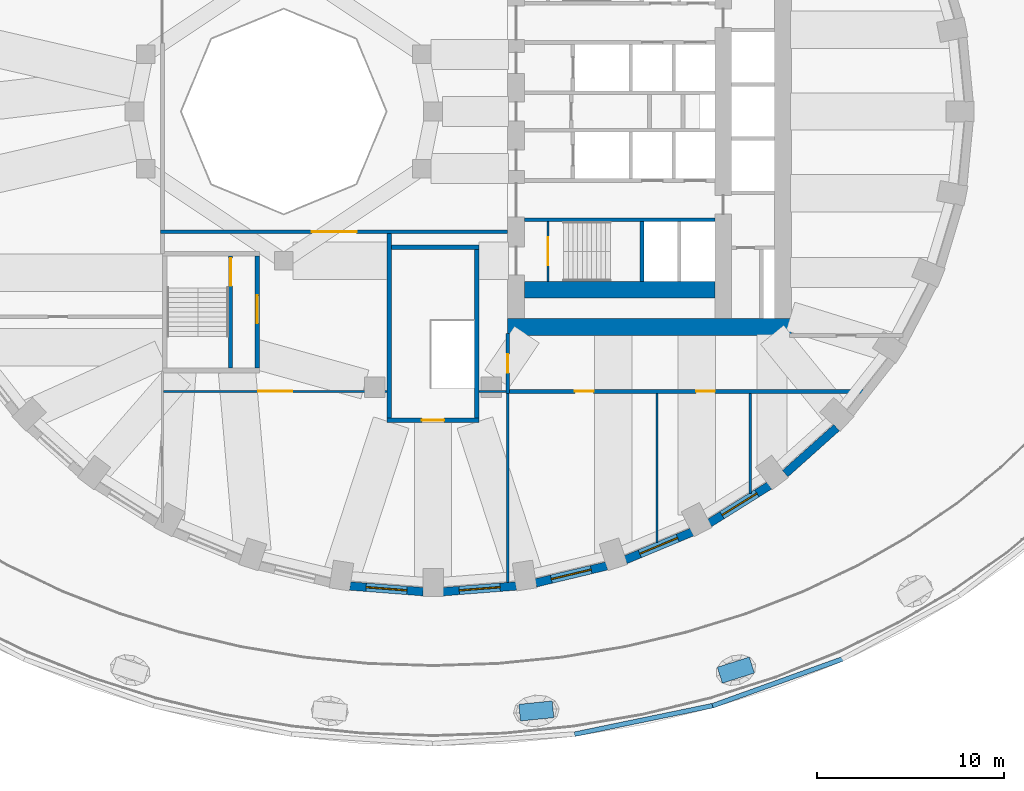
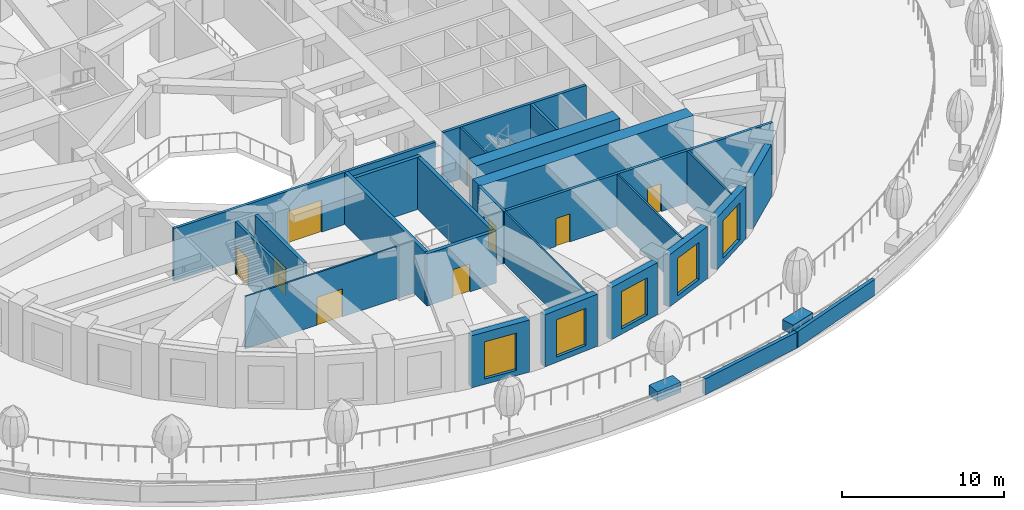
# One storey, part 4 of 17: 29 walls, 9 doors, 5 windows, 14 openings.
"""IFC4 building model written with IfcOpenShell, lengths in metres."""

from ifc_helpers import new_model, si_unit, direction, frame, frame_2d, origin, place, context, subcontext, project, spatial, rectangle, extrude, material, layer, layer_set, constituent, constituent_set, type_object, element, fill, save


model = new_model("IFC4")

# Units and contexts
model_context = context("Model", 3, precision=1e-05, world=origin(), true_north=direction((0.0, 1.0)))
body_context = subcontext(model_context, "Body", "Model", "MODEL_VIEW")
ifc_project = project(units=[si_unit("LENGTHUNIT", "METRE"), si_unit("AREAUNIT", "SQUARE_METRE"), si_unit("VOLUMEUNIT", "CUBIC_METRE"), si_unit("PLANEANGLEUNIT", "RADIAN"), si_unit("MASSUNIT", "GRAM", prefix="KILO")], contexts=[model_context])

# Site, building, storey
site_placement = place(None, origin())
site = spatial("IfcSite", under=ifc_project, at=site_placement, CompositionType="ELEMENT")
building_placement = place(site_placement, origin())
building = spatial("IfcBuilding", under=site, at=building_placement, Name="Taillehof Tower", CompositionType="ELEMENT")
storey_placement = place(building_placement, frame((0.0, 0.0, 17.5)))
storey = spatial("IfcBuildingStorey", under=building, at=storey_placement, Name="L03", CompositionType="ELEMENT", Elevation=17.5)

# Wall, opening, window
ifc_material_1 = material(Name="Brick masonry", Category="masonry")
ifc_layer_1 = layer(ifc_material_1, 0.449951171875)
ifc_layer_set_1 = layer_set([ifc_layer_1], Name="Brick infill wall 450")
wall_type_1 = type_object("IfcWallType", Name="Brick infill wall 450", PredefinedType="SOLIDWALL", material=ifc_layer_set_1)
wall_1_placement = place(storey_placement, frame((-4.457275390625, -25.42578125, 0.0), z_axis=(0.0, 0.0, 1.0), x_axis=(0.996955972145, -0.077966592873, 0.0)))
wall_1 = element("IfcWall", 1, at=wall_1_placement, inside=storey, type_object=wall_type_1, Name="Brick wall L03 bay 27", PredefinedType="SOLIDWALL", context=body_context, shape_type="SweptSolid", body=[
    extrude(rectangle(XDim=3.939208984375, YDim=0.449951171875, at=frame_2d((1.9697265625, 0.0))), origin(), (0.0, 0.0, 1.0), 3.919921875),
])
opening_1_placement = place(wall_1_placement, frame((0.86962890625, 0.0, 0.39990234375)))
opening_1 = element("IfcOpeningElement", 2, at=opening_1_placement, cuts=wall_1, Name="Opening W9", PredefinedType="OPENING", context=body_context, shape_type="SweptSolid", body=[
    extrude(rectangle(XDim=2.199951171875, YDim=2.800048828125, at=frame_2d((1.10009765625, 1.39990234375))), frame((0.0, 0.23486328125, 0.0), z_axis=(0.0, -1.0, 0.0), x_axis=(1.0, 0.0, 0.0)), (0.0, 0.0, 1.0), 0.469970703125),
])
ifc_material_2 = material(Name="Aluminium window frame with clear double glazing", Category="aluminium")
window_type = type_object("IfcWindowType", Name="Deep-set window 2200x2800", PartitioningType="SINGLE_PANEL", PredefinedType="WINDOW", material=ifc_material_2)
window_1_placement = place(opening_1_placement, origin())
window_1 = element("IfcWindow", 3, at=window_1_placement, inside=storey, type_object=window_type, Name="W9", OverallHeight=2.800048828125, OverallWidth=2.199951171875, PartitioningType="SINGLE_PANEL", PredefinedType="WINDOW", context=body_context, shape_type="SweptSolid", body=[
    extrude(rectangle(XDim=2.199951171875, YDim=2.800048828125, at=frame_2d((1.10009765625, 1.39990234375))), frame((0.0, 0.034912109375, 0.0), z_axis=(0.0, -1.0, 0.0), x_axis=(1.0, 0.0, 0.0)), (0.0, 0.0, 1.0), 0.06005859375),
])
fill(opening_1, window_1)

wall_2_placement = place(storey_placement, frame((0.530029296875, -25.73291015625, 0.0), z_axis=(0.0, 0.0, 1.0), x_axis=(0.996955972145, 0.077966592873, 0.0)))
wall_2 = element("IfcWall", 4, at=wall_2_placement, inside=storey, type_object=wall_type_1, Name="Brick wall L03 bay 28", PredefinedType="SOLIDWALL", context=body_context, shape_type="SweptSolid", body=[
    extrude(rectangle(XDim=3.939208984375, YDim=0.449951171875, at=frame_2d((1.9697265625, 0.0))), origin(), (0.0, 0.0, 1.0), 3.919921875),
])
opening_2_placement = place(wall_2_placement, frame((0.86962890625, 0.0, 0.39990234375)))
opening_2 = element("IfcOpeningElement", 5, at=opening_2_placement, cuts=wall_2, Name="Opening W9", PredefinedType="OPENING", context=body_context, shape_type="SweptSolid", body=[
    extrude(rectangle(XDim=2.199951171875, YDim=2.800048828125, at=frame_2d((1.10009765625, 1.39990234375))), frame((0.0, 0.23486328125, 0.0), z_axis=(0.0, -1.0, 0.0), x_axis=(1.0, 0.0, 0.0)), (0.0, 0.0, 1.0), 0.469970703125),
])
window_2_placement = place(opening_2_placement, origin())
window_2 = element("IfcWindow", 6, at=window_2_placement, inside=storey, type_object=window_type, Name="W9", OverallHeight=2.800048828125, OverallWidth=2.199951171875, PartitioningType="SINGLE_PANEL", PredefinedType="WINDOW", context=body_context, shape_type="SweptSolid", body=[
    extrude(rectangle(XDim=2.199951171875, YDim=2.800048828125, at=frame_2d((1.10009765625, 1.39990234375))), frame((0.0, 0.034912109375, 0.0), z_axis=(0.0, -1.0, 0.0), x_axis=(1.0, 0.0, 0.0)), (0.0, 0.0, 1.0), 0.06005859375),
])
fill(opening_2, window_2)

wall_3_placement = place(storey_placement, frame((5.50439453125, -25.260498046875, 0.0), z_axis=(0.0, 0.0, 1.0), x_axis=(0.972496561493, 0.232917233979, 0.0)))
wall_3 = element("IfcWall", 7, at=wall_3_placement, inside=storey, type_object=wall_type_1, Name="Brick wall L03 bay 29", PredefinedType="SOLIDWALL", context=body_context, shape_type="SweptSolid", body=[
    extrude(rectangle(XDim=3.910888671875, YDim=0.449951171875, at=frame_2d((1.95556640625, 0.0))), origin(), (0.0, 0.0, 1.0), 3.919921875),
])
opening_3_placement = place(wall_3_placement, frame((0.855224609375, 0.0, 0.39990234375)))
opening_3 = element("IfcOpeningElement", 8, at=opening_3_placement, cuts=wall_3, Name="Opening W9", PredefinedType="OPENING", context=body_context, shape_type="SweptSolid", body=[
    extrude(rectangle(XDim=2.199951171875, YDim=2.800048828125, at=frame_2d((1.10009765625, 1.39990234375))), frame((0.0, 0.23486328125, 0.0), z_axis=(0.0, -1.0, 0.0), x_axis=(1.0, 0.0, 0.0)), (0.0, 0.0, 1.0), 0.469970703125),
])
window_3_placement = place(opening_3_placement, origin())
window_3 = element("IfcWindow", 9, at=window_3_placement, inside=storey, type_object=window_type, Name="W9", OverallHeight=2.800048828125, OverallWidth=2.199951171875, PartitioningType="SINGLE_PANEL", PredefinedType="WINDOW", context=body_context, shape_type="SweptSolid", body=[
    extrude(rectangle(XDim=2.199951171875, YDim=2.800048828125, at=frame_2d((1.10009765625, 1.39990234375))), frame((0.0, 0.034912109375, 0.0), z_axis=(0.0, -1.0, 0.0), x_axis=(1.0, 0.0, 0.0)), (0.0, 0.0, 1.0), 0.06005859375),
])
fill(opening_3, window_3)

wall_4_placement = place(storey_placement, frame((10.3154296875, -24.02099609375, 0.0), z_axis=(0.0, 0.0, 1.0), x_axis=(0.923031964282, 0.384723267966, 0.0)))
wall_4 = element("IfcWall", 10, at=wall_4_placement, inside=storey, type_object=wall_type_1, Name="Brick wall L03 bay 30", PredefinedType="SOLIDWALL", context=body_context, shape_type="SweptSolid", body=[
    extrude(rectangle(XDim=3.8564453125, YDim=0.449951171875, at=frame_2d((1.92822265625, 0.0))), origin(), (0.0, 0.0, 1.0), 3.919921875),
])
opening_4_placement = place(wall_4_placement, frame((0.828125, 0.0, 0.39990234375)))
opening_4 = element("IfcOpeningElement", 11, at=opening_4_placement, cuts=wall_4, Name="Opening W9", PredefinedType="OPENING", context=body_context, shape_type="SweptSolid", body=[
    extrude(rectangle(XDim=2.199951171875, YDim=2.800048828125, at=frame_2d((1.10009765625, 1.39990234375))), frame((0.0, 0.23486328125, 0.0), z_axis=(0.0, -1.0, 0.0), x_axis=(1.0, 0.0, 0.0)), (0.0, 0.0, 1.0), 0.469970703125),
])
window_4_placement = place(opening_4_placement, origin())
window_4 = element("IfcWindow", 12, at=window_4_placement, inside=storey, type_object=window_type, Name="W9", OverallHeight=2.800048828125, OverallWidth=2.199951171875, PartitioningType="SINGLE_PANEL", PredefinedType="WINDOW", context=body_context, shape_type="SweptSolid", body=[
    extrude(rectangle(XDim=2.199951171875, YDim=2.800048828125, at=frame_2d((1.10009765625, 1.39990234375))), frame((0.0, 0.034912109375, 0.0), z_axis=(0.0, -1.0, 0.0), x_axis=(1.0, 0.0, 0.0)), (0.0, 0.0, 1.0), 0.06005859375),
])
fill(opening_4, window_4)

wall_5_placement = place(storey_placement, frame((14.81689453125, -22.050537109375, 0.0), z_axis=(0.0, 0.0, 1.0), x_axis=(0.847635480093, 0.530579016629, 0.0)))
wall_5 = element("IfcWall", 13, at=wall_5_placement, inside=storey, type_object=wall_type_1, Name="Brick wall L03 bay 31", PredefinedType="SOLIDWALL", context=body_context, shape_type="SweptSolid", body=[
    extrude(rectangle(XDim=3.782470703125, YDim=0.449951171875, at=frame_2d((1.89111328125, 0.0))), origin(), (0.0, 0.0, 1.0), 3.919921875),
])
opening_5_placement = place(wall_5_placement, frame((0.791259765625, 0.0, 0.39990234375)))
opening_5 = element("IfcOpeningElement", 14, at=opening_5_placement, cuts=wall_5, Name="Opening W9", PredefinedType="OPENING", context=body_context, shape_type="SweptSolid", body=[
    extrude(rectangle(XDim=2.199951171875, YDim=2.800048828125, at=frame_2d((1.10009765625, 1.39990234375))), frame((0.0, 0.23486328125, 0.0), z_axis=(0.0, -1.0, 0.0), x_axis=(1.0, 0.0, 0.0)), (0.0, 0.0, 1.0), 0.469970703125),
])
window_5_placement = place(opening_5_placement, origin())
window_5 = element("IfcWindow", 15, at=window_5_placement, inside=storey, type_object=window_type, Name="W9", OverallHeight=2.800048828125, OverallWidth=2.199951171875, PartitioningType="SINGLE_PANEL", PredefinedType="WINDOW", context=body_context, shape_type="SweptSolid", body=[
    extrude(rectangle(XDim=2.199951171875, YDim=2.800048828125, at=frame_2d((1.10009765625, 1.39990234375))), frame((0.0, 0.034912109375, 0.0), z_axis=(0.0, -1.0, 0.0), x_axis=(1.0, 0.0, 0.0)), (0.0, 0.0, 1.0), 0.06005859375),
])
fill(opening_5, window_5)

# Wall
wall_6_placement = place(storey_placement, frame((18.87060546875, -19.406982421875, 0.0), z_axis=(0.0, 0.0, 1.0), x_axis=(0.745526233716, 0.66647628228, 0.0)))
element("IfcWall", 16, at=wall_6_placement, inside=storey, type_object=wall_type_1, Name="Brick wall L03 bay 32", PredefinedType="SOLIDWALL", context=body_context, shape_type="SweptSolid", body=[
    extrude(rectangle(XDim=3.69677734375, YDim=0.449951171875, at=frame_2d((1.848388671875, 0.0))), origin(), (0.0, 0.0, 1.0), 3.919921875),
])

# Wall, openings, doors
ifc_material_3 = material(Name="Calcium silicate blockwork", Category="masonry")
ifc_layer_2 = layer(ifc_material_3, 0.199951171875)
ifc_layer_set_2 = layer_set([ifc_layer_2], Name="Compartment wall EI 60 200 mm")
wall_type_2 = type_object("IfcWallType", Name="Compartment wall EI 60 200 mm", PredefinedType="PARTITIONING", material=ifc_layer_set_2)
wall_7_placement = place(storey_placement, frame((4.10009765625, -15.0, 0.0), z_axis=(0.0, 0.0, 1.0), x_axis=(1.0, 0.0, 0.0)))
wall_7 = element("IfcWall", 17, at=wall_7_placement, inside=storey, type_object=wall_type_2, Name="Wall L03-09 / L03-13", PredefinedType="PARTITIONING", context=body_context, shape_type="SweptSolid", body=[
    extrude(rectangle(XDim=18.96240234375, YDim=0.199951171875, at=frame_2d((9.481201171875, 0.0))), origin(), (0.0, 0.0, 1.0), 3.919921875),
])
opening_6_placement = place(wall_7_placement, frame((3.5, 0.0, 0.0)))
opening_6 = element("IfcOpeningElement", 18, at=opening_6_placement, cuts=wall_7, Name="Opening D0344", PredefinedType="OPENING", context=body_context, shape_type="SweptSolid", body=[
    extrude(rectangle(XDim=1.0, YDim=2.10009765625, at=frame_2d((0.5, 1.050048828125))), frame((0.0, 0.10986328125, 0.0), z_axis=(0.0, -1.0, 0.0), x_axis=(1.0, 0.0, 0.0)), (0.0, 0.0, 1.0), 0.219970703125),
])
opening_7_placement = place(wall_7_placement, frame((10.0, 0.0, 0.0)))
opening_7 = element("IfcOpeningElement", 19, at=opening_7_placement, cuts=wall_7, Name="Opening D0345", PredefinedType="OPENING", context=body_context, shape_type="SweptSolid", body=[
    extrude(rectangle(XDim=1.0, YDim=2.10009765625, at=frame_2d((0.5, 1.050048828125))), frame((0.0, 0.10986328125, 0.0), z_axis=(0.0, -1.0, 0.0), x_axis=(1.0, 0.0, 0.0)), (0.0, 0.0, 1.0), 0.219970703125),
])
ifc_material_4 = material(Name="Hollow metal door set")
door_type_1 = type_object("IfcDoorType", Name="Single door 1000 x 2100 FD60S", OperationType="SINGLE_SWING_LEFT", PredefinedType="DOOR", material=ifc_material_4)
door_1_placement = place(opening_6_placement, origin())
door_1 = element("IfcDoor", 20, at=door_1_placement, inside=storey, type_object=door_type_1, Name="Door D0344", OperationType="SINGLE_SWING_RIGHT", OverallHeight=2.10009765625, OverallWidth=1.0, PredefinedType="DOOR", context=body_context, shape_type="SweptSolid", body=[
    extrude(rectangle(XDim=1.0, YDim=2.10009765625, at=frame_2d((0.5, 1.050048828125))), frame((0.0, 0.02490234375, 0.0), z_axis=(0.0, -1.0, 0.0), x_axis=(1.0, 0.0, 0.0)), (0.0, 0.0, 1.0), 0.050048828125),
])
fill(opening_6, door_1)
door_2_placement = place(opening_7_placement, origin())
door_2 = element("IfcDoor", 21, at=door_2_placement, inside=storey, type_object=door_type_1, Name="Door D0345", OperationType="SINGLE_SWING_LEFT", OverallHeight=2.10009765625, OverallWidth=1.0, PredefinedType="DOOR", context=body_context, shape_type="SweptSolid", body=[
    extrude(rectangle(XDim=1.0, YDim=2.10009765625, at=frame_2d((0.5, 1.050048828125))), frame((0.0, 0.02490234375, 0.0), z_axis=(0.0, -1.0, 0.0), x_axis=(1.0, 0.0, 0.0)), (0.0, 0.0, 1.0), 0.050048828125),
])
fill(opening_7, door_2)

# Wall, opening, door
wall_8_placement = place(storey_placement, frame((-14.60009765625, -6.449951171875, 0.0), z_axis=(0.0, 0.0, 1.0), x_axis=(1.0, 0.0, 0.0)))
wall_8 = element("IfcWall", 22, at=wall_8_placement, inside=storey, type_object=wall_type_2, Name="Wall L03-18 / L03-19", PredefinedType="PARTITIONING", context=body_context, shape_type="SweptSolid", body=[
    extrude(rectangle(XDim=18.60205078125, YDim=0.199951171875, at=frame_2d((9.301025390625, 0.0))), origin(), (0.0, 0.0, 1.0), 3.919921875),
])
opening_8_placement = place(wall_8_placement, frame((8.10107421875, 0.0, 0.0)))
opening_8 = element("IfcOpeningElement", 23, at=opening_8_placement, cuts=wall_8, Name="Opening D0349", PredefinedType="OPENING", context=body_context, shape_type="SweptSolid", body=[
    extrude(rectangle(XDim=2.39990234375, YDim=2.39990234375, at=frame_2d((1.199951171875, 1.199951171875))), frame((0.0, 0.10986328125, 0.0), z_axis=(0.0, -1.0, 0.0), x_axis=(1.0, 0.0, 0.0)), (0.0, 0.0, 1.0), 0.219970703125),
])
ifc_material_5 = material(Name="Glazed aluminium door set", Category="aluminium")
door_type_2 = type_object("IfcDoorType", Name="Glazed double door 2400 x 2400 FD60S", OperationType="DOUBLE_DOOR_SINGLE_SWING", PredefinedType="DOOR", material=ifc_material_5)
door_3_placement = place(opening_8_placement, origin())
door_3 = element("IfcDoor", 24, at=door_3_placement, inside=storey, type_object=door_type_2, Name="Door D0349", OperationType="DOUBLE_DOOR_SINGLE_SWING", OverallHeight=2.39990234375, OverallWidth=2.39990234375, PredefinedType="DOOR", context=body_context, shape_type="SweptSolid", body=[
    extrude(rectangle(XDim=2.39990234375, YDim=2.39990234375, at=frame_2d((1.199951171875, 1.199951171875))), frame((0.0, 0.02490234375, 0.0), z_axis=(0.0, -1.0, 0.0), x_axis=(1.0, 0.0, 0.0)), (0.0, 0.0, 1.0), 0.050048828125),
])
fill(opening_8, door_3)

wall_9_placement = place(storey_placement, frame((4.0, -15.10009765625, 0.0), z_axis=(0.0, 0.0, 1.0), x_axis=(0.0, 1.0, 0.0)))
wall_9 = element("IfcWall", 25, at=wall_9_placement, inside=storey, type_object=wall_type_2, Name="Wall L03-09 / L03-18", PredefinedType="PARTITIONING", context=body_context, shape_type="SweptSolid", body=[
    extrude(rectangle(XDim=3.2001953125, YDim=0.199951171875, at=frame_2d((1.60009765625, 0.0))), origin(), (0.0, 0.0, 1.0), 3.919921875),
])
opening_9_placement = place(wall_9_placement, frame((1.10009765625, 0.0, 0.0)))
opening_9 = element("IfcOpeningElement", 26, at=opening_9_placement, cuts=wall_9, Name="Opening D0346", PredefinedType="OPENING", context=body_context, shape_type="SweptSolid", body=[
    extrude(rectangle(XDim=1.0, YDim=2.10009765625, at=frame_2d((0.5, 1.050048828125))), frame((0.0, 0.10986328125, 0.0), z_axis=(0.0, -1.0, 0.0), x_axis=(1.0, 0.0, 0.0)), (0.0, 0.0, 1.0), 0.219970703125),
])
door_4_placement = place(opening_9_placement, origin())
door_4 = element("IfcDoor", 27, at=door_4_placement, inside=storey, type_object=door_type_1, Name="Door D0346", OperationType="SINGLE_SWING_LEFT", OverallHeight=2.10009765625, OverallWidth=1.0, PredefinedType="DOOR", context=body_context, shape_type="SweptSolid", body=[
    extrude(rectangle(XDim=1.0, YDim=2.10009765625, at=frame_2d((0.5, 1.050048828125))), frame((0.0, 0.02490234375, 0.0), z_axis=(0.0, -1.0, 0.0), x_axis=(1.0, 0.0, 0.0)), (0.0, 0.0, 1.0), 0.050048828125),
])
fill(opening_9, door_4)

# Walls
ifc_material_6 = material(Name="Concrete C80/95", Category="concrete")
ifc_layer_3 = layer(ifc_material_6, 0.89990234375)
ifc_layer_set_3 = layer_set([ifc_layer_3], Name="Core wall C80/95 900")
wall_type_3 = type_object("IfcWallType", Name="Core wall C80/95 900", PredefinedType="SHEAR", material=ifc_layer_set_3)
wall_10_placement = place(storey_placement, frame((4.0, -11.550048828125, 0.0), z_axis=(0.0, 0.0, 1.0), x_axis=(1.0, 0.0, 0.0)))
element("IfcWall", 28, at=wall_10_placement, inside=storey, type_object=wall_type_3, Name="Core wall CW04", PredefinedType="SHEAR", context=body_context, shape_type="SweptSolid", body=[
    extrude(rectangle(XDim=15.199951171875, YDim=0.89990234375, at=frame_2d((7.60009765625, 0.0))), origin(), (0.0, 0.0, 1.0), 3.919921875),
])
wall_11_placement = place(storey_placement, frame((4.89990234375, -9.550048828125, 0.0), z_axis=(0.0, 0.0, 1.0), x_axis=(1.0, 0.0, 0.0)))
element("IfcWall", 29, at=wall_11_placement, inside=storey, type_object=wall_type_3, Name="Core wall CW07", PredefinedType="SHEAR", context=body_context, shape_type="SweptSolid", body=[
    extrude(rectangle(XDim=10.2001953125, YDim=0.89990234375, at=frame_2d((5.10009765625, 0.0))), origin(), (0.0, 0.0, 1.0), 3.919921875),
])
ifc_material_7 = material(Name="Brick masonry", Category="masonry")
ifc_constituent_1 = constituent(ifc_material_7, Name="Wall", Category="masonry")
ifc_material_8 = material(Name="Concrete C30/37 precast", Category="concrete")
ifc_constituent_2 = constituent(ifc_material_8, Name="Coping", Category="concrete")
ifc_constituent_set_1 = constituent_set(constituents=[ifc_constituent_1, ifc_constituent_2], Name="Parapet 250")
wall_type_4 = type_object("IfcWallType", Name="Parapet 250", PredefinedType="PARAPET", material=ifc_constituent_set_1)
wall_12_placement = place(storey_placement, frame((7.585693359375, -33.3671875, 0.0), z_axis=(0.0, 0.0, 1.0), x_axis=(0.979229524198, 0.202754874019, 0.0)))
element("IfcWall", 30, at=wall_12_placement, inside=storey, type_object=wall_type_4, Name="Parapet 29", PredefinedType="PARAPET", context=body_context, shape_type="SweptSolid", body=[
    extrude(rectangle(XDim=7.625732421875, YDim=0.25, at=frame_2d((3.81298828125, 0.0))), origin(), (0.0, 0.0, 1.0), 1.199951171875),
])
wall_13_placement = place(storey_placement, frame((14.978271484375, -31.842041015625, 0.0), z_axis=(0.0, 0.0, 1.0), x_axis=(0.940794198993, 0.338978281224, 0.0)))
element("IfcWall", 31, at=wall_13_placement, inside=storey, type_object=wall_type_4, Name="Parapet 30", PredefinedType="PARAPET", context=body_context, shape_type="SweptSolid", body=[
    extrude(rectangle(XDim=7.448486328125, YDim=0.25, at=frame_2d((3.72412109375, 0.0))), origin(), (0.0, 0.0, 1.0), 1.199951171875),
])

# Wall, opening, door
ifc_material_9 = material(Name="Gypsum board partition on steel studs", Category="steel")
ifc_layer_4 = layer(ifc_material_9, 0.125)
ifc_layer_set_4 = layer_set([ifc_layer_4], Name="Partition wall EI 30 125 mm")
wall_type_5 = type_object("IfcWallType", Name="Partition wall EI 30 125 mm", PredefinedType="PARTITIONING", material=ifc_layer_set_4)
wall_14_placement = place(storey_placement, frame((-14.4375, -15.0, 0.0), z_axis=(0.0, 0.0, 1.0), x_axis=(1.0, 0.0, 0.0)))
wall_14 = element("IfcWall", 32, at=wall_14_placement, inside=storey, type_object=wall_type_5, Name="Wall L03-17 / L03-18", PredefinedType="PARTITIONING", context=body_context, shape_type="SweptSolid", body=[
    extrude(rectangle(XDim=11.96240234375, YDim=0.125, at=frame_2d((5.981201171875, 0.0))), origin(), (0.0, 0.0, 1.0), 3.919921875),
])
opening_10_placement = place(wall_14_placement, frame((5.08154296875, 0.0, 0.0)))
opening_10 = element("IfcOpeningElement", 33, at=opening_10_placement, cuts=wall_14, Name="Opening D0343", PredefinedType="OPENING", context=body_context, shape_type="SweptSolid", body=[
    extrude(rectangle(XDim=1.800048828125, YDim=2.10009765625, at=frame_2d((0.89990234375, 1.050048828125))), frame((0.0, 0.072509765625, 0.0), z_axis=(0.0, -1.0, 0.0), x_axis=(1.0, 0.0, 0.0)), (0.0, 0.0, 1.0), 0.14501953125),
])
ifc_material_10 = material(Name="Hollow metal door set")
door_type_3 = type_object("IfcDoorType", Name="Double door 1800 x 2100 FD30S", OperationType="DOUBLE_DOOR_SINGLE_SWING", PredefinedType="DOOR", material=ifc_material_10)
door_5_placement = place(opening_10_placement, origin())
door_5 = element("IfcDoor", 34, at=door_5_placement, inside=storey, type_object=door_type_3, Name="Door D0343", OperationType="DOUBLE_DOOR_SINGLE_SWING", OverallHeight=2.10009765625, OverallWidth=1.800048828125, PredefinedType="DOOR", context=body_context, shape_type="SweptSolid", body=[
    extrude(rectangle(XDim=1.800048828125, YDim=2.10009765625, at=frame_2d((0.89990234375, 1.050048828125))), frame((0.0, 0.02490234375, 0.0), z_axis=(0.0, -1.0, 0.0), x_axis=(1.0, 0.0, 0.0)), (0.0, 0.0, 1.0), 0.050048828125),
])
fill(opening_10, door_5)

# Walls
wall_15_placement = place(storey_placement, frame((2.47509765625, -15.0, 0.0), z_axis=(0.0, 0.0, 1.0), x_axis=(1.0, 0.0, 0.0)))
element("IfcWall", 35, at=wall_15_placement, inside=storey, type_object=wall_type_5, Name="Wall L03-17 / L03-18", PredefinedType="PARTITIONING", context=body_context, shape_type="SweptSolid", body=[
    extrude(rectangle(XDim=1.4248046875, YDim=0.125, at=frame_2d((0.71240234375, 0.0))), origin(), (0.0, 0.0, 1.0), 3.919921875),
])
wall_16_placement = place(storey_placement, frame((4.0, -25.24169921875, 0.0), z_axis=(0.0, 0.0, 1.0), x_axis=(0.0, 1.0, 0.0)))
element("IfcWall", 36, at=wall_16_placement, inside=storey, type_object=wall_type_5, Name="Wall L03-13 / L03-17", PredefinedType="PARTITIONING", context=body_context, shape_type="SweptSolid", body=[
    extrude(rectangle(XDim=10.1416015625, YDim=0.125, at=frame_2d((5.07080078125, 0.0))), origin(), (0.0, 0.0, 1.0), 3.919921875),
])
wall_17_placement = place(storey_placement, frame((12.0, -23.102294921875, 0.0), z_axis=(0.0, 0.0, 1.0), x_axis=(0.0, 1.0, 0.0)))
element("IfcWall", 37, at=wall_17_placement, inside=storey, type_object=wall_type_5, Name="Wall L03-13 / L03-14", PredefinedType="PARTITIONING", context=body_context, shape_type="SweptSolid", body=[
    extrude(rectangle(XDim=8.002197265625, YDim=0.125, at=frame_2d((4.0009765625, 0.0))), origin(), (0.0, 0.0, 1.0), 3.919921875),
])
wall_18_placement = place(storey_placement, frame((17.0, -20.45751953125, 0.0), z_axis=(0.0, 0.0, 1.0), x_axis=(0.0, 1.0, 0.0)))
element("IfcWall", 38, at=wall_18_placement, inside=storey, type_object=wall_type_5, Name="Wall L03-14 / L03-15", PredefinedType="PARTITIONING", context=body_context, shape_type="SweptSolid", body=[
    extrude(rectangle(XDim=5.357421875, YDim=0.125, at=frame_2d((2.6787109375, 0.0))), origin(), (0.0, 0.0, 1.0), 3.919921875),
])
ifc_material_11 = material(Name="Concrete C50/60", Category="concrete")
ifc_layer_5 = layer(ifc_material_11, 0.199951171875)
ifc_layer_set_5 = layer_set([ifc_layer_5], Name="Shaft wall C50/60 200")
wall_type_6 = type_object("IfcWallType", Name="Shaft wall C50/60 200", PredefinedType="SHEAR", material=ifc_layer_set_5)
wall_19_placement = place(storey_placement, frame((4.89990234375, -5.800048828125, 0.0), z_axis=(0.0, 0.0, 1.0), x_axis=(1.0, 0.0, 0.0)))
element("IfcWall", 39, at=wall_19_placement, inside=storey, type_object=wall_type_6, Name="Shaft wall SW", PredefinedType="SHEAR", context=body_context, shape_type="SweptSolid", body=[
    extrude(rectangle(XDim=10.2001953125, YDim=0.199951171875, at=frame_2d((5.10009765625, 0.0))), origin(), (0.0, 0.0, 1.0), 3.919921875),
])
wall_20_placement = place(storey_placement, frame((11.199951171875, -9.10009765625, 0.0), z_axis=(0.0, 0.0, 1.0), x_axis=(0.0, 1.0, 0.0)))
element("IfcWall", 40, at=wall_20_placement, inside=storey, type_object=wall_type_6, Name="Shaft wall SW", PredefinedType="SHEAR", context=body_context, shape_type="SweptSolid", body=[
    extrude(rectangle(XDim=3.2001953125, YDim=0.199951171875, at=frame_2d((1.60009765625, 0.0))), origin(), (0.0, 0.0, 1.0), 3.919921875),
])

# Wall, opening, door
wall_21_placement = place(storey_placement, frame((-10.85009765625, -13.75, 0.0), z_axis=(0.0, 0.0, 1.0), x_axis=(0.0, 1.0, 0.0)))
wall_21 = element("IfcWall", 41, at=wall_21_placement, inside=storey, type_object=wall_type_6, Name="Shaft wall SW", PredefinedType="SHEAR", context=body_context, shape_type="SweptSolid", body=[
    extrude(rectangle(XDim=6.0, YDim=0.199951171875, at=frame_2d((3.0, 0.0))), origin(), (0.0, 0.0, 1.0), 3.919921875),
])
opening_11_placement = place(wall_21_placement, frame((4.39990234375, 0.0, 0.0)))
opening_11 = element("IfcOpeningElement", 42, at=opening_11_placement, cuts=wall_21, Name="Opening D0311", PredefinedType="OPENING", context=body_context, shape_type="SweptSolid", body=[
    extrude(rectangle(XDim=1.5, YDim=2.10009765625, at=frame_2d((0.75, 1.050048828125))), frame((0.0, 0.10986328125, 0.0), z_axis=(0.0, -1.0, 0.0), x_axis=(1.0, 0.0, 0.0)), (0.0, 0.0, 1.0), 0.219970703125),
])
ifc_material_12 = material(Name="Steel-faced fire door", Category="steel")
door_type_4 = type_object("IfcDoorType", Name="Stair door 1500x2100", OperationType="DOUBLE_DOOR_SINGLE_SWING", PredefinedType="DOOR", material=ifc_material_12)
door_6_placement = place(opening_11_placement, origin())
door_6 = element("IfcDoor", 43, at=door_6_placement, inside=storey, type_object=door_type_4, Name="Stair lobby door S4", OperationType="DOUBLE_DOOR_SINGLE_SWING", OverallHeight=2.10009765625, OverallWidth=1.5, PredefinedType="DOOR", context=body_context, shape_type="SweptSolid", body=[
    extrude(rectangle(XDim=1.5, YDim=2.10009765625, at=frame_2d((0.75, 1.050048828125))), frame((0.0, 0.02490234375, 0.0), z_axis=(0.0, -1.0, 0.0), x_axis=(1.0, 0.0, 0.0)), (0.0, 0.0, 1.0), 0.050048828125),
])
fill(opening_11, door_6)

ifc_material_13 = material(Name="Concrete C50/60", Category="concrete")
ifc_layer_6 = layer(ifc_material_13, 0.1201171875)
ifc_layer_set_6 = layer_set([ifc_layer_6], Name="Stair lobby wall C50/60 120")
wall_type_7 = type_object("IfcWallType", Name="Stair lobby wall C50/60 120", PredefinedType="SHEAR", material=ifc_layer_set_6)
wall_22_placement = place(storey_placement, frame((6.159912109375, -9.10009765625, 0.0), z_axis=(0.0, 0.0, 1.0), x_axis=(0.0, 1.0, 0.0)))
wall_22 = element("IfcWall", 44, at=wall_22_placement, inside=storey, type_object=wall_type_7, Name="Compartment wall SW", PredefinedType="SHEAR", context=body_context, shape_type="SweptSolid", body=[
    extrude(rectangle(XDim=3.2001953125, YDim=0.1201171875, at=frame_2d((1.60009765625, 0.0))), origin(), (0.0, 0.0, 1.0), 3.919921875),
])
opening_12_placement = place(wall_22_placement, frame((0.85009765625, 0.0, 0.0)))
opening_12 = element("IfcOpeningElement", 45, at=opening_12_placement, cuts=wall_22, Name="Opening D0309", PredefinedType="OPENING", context=body_context, shape_type="SweptSolid", body=[
    extrude(rectangle(XDim=1.5, YDim=2.10009765625, at=frame_2d((0.75, 1.050048828125))), frame((0.0, 0.070068359375, 0.0), z_axis=(0.0, -1.0, 0.0), x_axis=(1.0, 0.0, 0.0)), (0.0, 0.0, 1.0), 0.14013671875),
])
door_7_placement = place(opening_12_placement, origin())
door_7 = element("IfcDoor", 46, at=door_7_placement, inside=storey, type_object=door_type_4, Name="Stair lobby door S2", OperationType="DOUBLE_DOOR_SINGLE_SWING", OverallHeight=2.10009765625, OverallWidth=1.5, PredefinedType="DOOR", context=body_context, shape_type="SweptSolid", body=[
    extrude(rectangle(XDim=1.5, YDim=2.10009765625, at=frame_2d((0.75, 1.050048828125))), frame((0.0, 0.02490234375, 0.0), z_axis=(0.0, -1.0, 0.0), x_axis=(1.0, 0.0, 0.0)), (0.0, 0.0, 1.0), 0.050048828125),
])
fill(opening_12, door_7)

ifc_material_14 = material(Name="Concrete C50/60", Category="concrete")
ifc_layer_7 = layer(ifc_material_14, 0.25)
ifc_layer_set_7 = layer_set([ifc_layer_7], Name="Stair wall C50/60 250")
wall_type_8 = type_object("IfcWallType", Name="Stair wall C50/60 250", PredefinedType="SHEAR", material=ifc_layer_set_7)
wall_23_placement = place(storey_placement, frame((-9.425048828125, -13.75, -0.35009765625), z_axis=(0.0, 0.0, 1.0), x_axis=(0.0, 1.0, 0.0)))
wall_23 = element("IfcWall", 47, at=wall_23_placement, inside=storey, type_object=wall_type_8, Name="Stair wall SC", PredefinedType="SHEAR", context=body_context, shape_type="SweptSolid", body=[
    extrude(rectangle(XDim=6.0, YDim=0.25, at=frame_2d((3.0, 0.0))), origin(), (0.0, 0.0, 1.0), 4.27001953125),
])
opening_13_placement = place(wall_23_placement, frame((2.39990234375, 0.0, 0.35009765625)))
opening_13 = element("IfcOpeningElement", 48, at=opening_13_placement, cuts=wall_23, Name="Opening D0318", PredefinedType="OPENING", context=body_context, shape_type="SweptSolid", body=[
    extrude(rectangle(XDim=1.5, YDim=2.10009765625, at=frame_2d((0.75, 1.050048828125))), frame((0.0, 0.135009765625, 0.0), z_axis=(0.0, -1.0, 0.0), x_axis=(1.0, 0.0, 0.0)), (0.0, 0.0, 1.0), 0.27001953125),
])
door_8_placement = place(opening_13_placement, origin())
door_8 = element("IfcDoor", 49, at=door_8_placement, inside=storey, type_object=door_type_4, Name="Stair door S4", OperationType="DOUBLE_DOOR_SINGLE_SWING", OverallHeight=2.10009765625, OverallWidth=1.5, PredefinedType="DOOR", context=body_context, shape_type="SweptSolid", body=[
    extrude(rectangle(XDim=1.5, YDim=2.10009765625, at=frame_2d((0.75, 1.050048828125))), frame((0.0, 0.02490234375, 0.0), z_axis=(0.0, -1.0, 0.0), x_axis=(1.0, 0.0, 0.0)), (0.0, 0.0, 1.0), 0.050048828125),
])
fill(opening_13, door_8)

ifc_material_15 = material(Name="Concrete C40/50", Category="concrete")
ifc_layer_8 = layer(ifc_material_15, 0.25)
ifc_layer_set_8 = layer_set([ifc_layer_8], Name="Stair wall EI 120 250 mm")
wall_type_9 = type_object("IfcWallType", Name="Stair wall EI 120 250 mm", PredefinedType="SOLIDWALL", material=ifc_layer_set_8)
wall_24_placement = place(storey_placement, frame((-2.47509765625, -16.544921875, 0.0), z_axis=(0.0, 0.0, 1.0), x_axis=(1.0, 0.0, 0.0)))
wall_24 = element("IfcWall", 50, at=wall_24_placement, inside=storey, type_object=wall_type_9, Name="Wall L03-02 / L03-17", PredefinedType="SOLIDWALL", context=body_context, shape_type="SweptSolid", body=[
    extrude(rectangle(XDim=4.9501953125, YDim=0.25, at=frame_2d((2.47509765625, 0.0))), origin(), (0.0, 0.0, 1.0), 3.919921875),
])
opening_14_placement = place(wall_24_placement, frame((1.875, 0.0, 0.0)))
opening_14 = element("IfcOpeningElement", 51, at=opening_14_placement, cuts=wall_24, Name="Opening D0342", PredefinedType="OPENING", context=body_context, shape_type="SweptSolid", body=[
    extrude(rectangle(XDim=1.199951171875, YDim=2.10009765625, at=frame_2d((0.60009765625, 1.050048828125))), frame((0.0, 0.135009765625, 0.0), z_axis=(0.0, -1.0, 0.0), x_axis=(1.0, 0.0, 0.0)), (0.0, 0.0, 1.0), 0.27001953125),
])
ifc_material_16 = material(Name="Hollow metal door set")
door_type_5 = type_object("IfcDoorType", Name="Single door 1200 x 2100 FD120S", OperationType="SINGLE_SWING_LEFT", PredefinedType="DOOR", material=ifc_material_16)
door_9_placement = place(opening_14_placement, origin())
door_9 = element("IfcDoor", 52, at=door_9_placement, inside=storey, type_object=door_type_5, Name="Door D0342", OperationType="SINGLE_SWING_RIGHT", OverallHeight=2.10009765625, OverallWidth=1.199951171875, PredefinedType="DOOR", context=body_context, shape_type="SweptSolid", body=[
    extrude(rectangle(XDim=1.199951171875, YDim=2.10009765625, at=frame_2d((0.60009765625, 1.050048828125))), frame((0.0, 0.02490234375, 0.0), z_axis=(0.0, -1.0, 0.0), x_axis=(1.0, 0.0, 0.0)), (0.0, 0.0, 1.0), 0.050048828125),
])
fill(opening_14, door_9)

# Walls
wall_25_placement = place(storey_placement, frame((-2.22509765625, -7.27490234375, 0.0), z_axis=(0.0, 0.0, 1.0), x_axis=(1.0, 0.0, 0.0)))
element("IfcWall", 53, at=wall_25_placement, inside=storey, type_object=wall_type_9, Name="Wall L03-02 / L03-18", PredefinedType="SOLIDWALL", context=body_context, shape_type="SweptSolid", body=[
    extrude(rectangle(XDim=4.7001953125, YDim=0.25, at=frame_2d((2.35009765625, 0.0))), origin(), (0.0, 0.0, 1.0), 3.919921875),
])
wall_26_placement = place(storey_placement, frame((-2.35009765625, -16.419921875, 0.0), z_axis=(0.0, 0.0, 1.0), x_axis=(0.0, 1.0, 0.0)))
element("IfcWall", 54, at=wall_26_placement, inside=storey, type_object=wall_type_9, Name="Wall L03-02 / L03-17", PredefinedType="SOLIDWALL", context=body_context, shape_type="SweptSolid", body=[
    extrude(rectangle(XDim=9.869873046875, YDim=0.25, at=frame_2d((4.93505859375, 0.0))), origin(), (0.0, 0.0, 1.0), 3.919921875),
])
wall_27_placement = place(storey_placement, frame((2.35009765625, -16.419921875, 0.0), z_axis=(0.0, 0.0, 1.0), x_axis=(0.0, 1.0, 0.0)))
element("IfcWall", 55, at=wall_27_placement, inside=storey, type_object=wall_type_9, Name="Wall L03-02 / L03-17", PredefinedType="SOLIDWALL", context=body_context, shape_type="SweptSolid", body=[
    extrude(rectangle(XDim=9.02001953125, YDim=0.25, at=frame_2d((4.510009765625, 0.0))), origin(), (0.0, 0.0, 1.0), 3.919921875),
])
ifc_material_17 = material(Name="Concrete C30/37 precast", Category="concrete")
ifc_constituent_3 = constituent(ifc_material_17, Name="Structure", Category="concrete")
ifc_material_18 = material(Name="Insulated lining")
ifc_constituent_4 = constituent(ifc_material_18, Name="Lining")
ifc_constituent_set_2 = constituent_set(constituents=[ifc_constituent_3, ifc_constituent_4], Name="Terrace planter 900x750")
wall_type_10 = type_object("IfcWallType", Name="Terrace planter 900x750", PredefinedType="USERDEFINED", material=ifc_constituent_set_2)
wall_28_placement = place(storey_placement, frame((4.638916015625, -32.212890625, 0.0), z_axis=(0.0, 0.0, 1.0), x_axis=(0.994976569531, 0.100108072026, 0.0)))
element("IfcWall", 56, at=wall_28_placement, inside=storey, type_object=wall_type_10, Name="Terrace planter 19", ObjectType="PLANTER", PredefinedType="USERDEFINED", context=body_context, shape_type="SweptSolid", body=[
    extrude(rectangle(XDim=1.7998046875, YDim=0.89990234375, at=frame_2d((0.89990234375, 0.0))), origin(), (0.0, 0.0, 1.0), 0.75),
])
wall_29_placement = place(storey_placement, frame((15.36767578125, -30.205322265625, 0.0), z_axis=(0.0, 0.0, 1.0), x_axis=(0.953375400582, 0.301786920799, 0.0)))
element("IfcWall", 57, at=wall_29_placement, inside=storey, type_object=wall_type_10, Name="Terrace planter 20", ObjectType="PLANTER", PredefinedType="USERDEFINED", context=body_context, shape_type="SweptSolid", body=[
    extrude(rectangle(XDim=1.800048828125, YDim=0.89990234375, at=frame_2d((0.89990234375, 0.0))), origin(), (0.0, 0.0, 1.0), 0.75),
])

save(model, "model.ifc")
